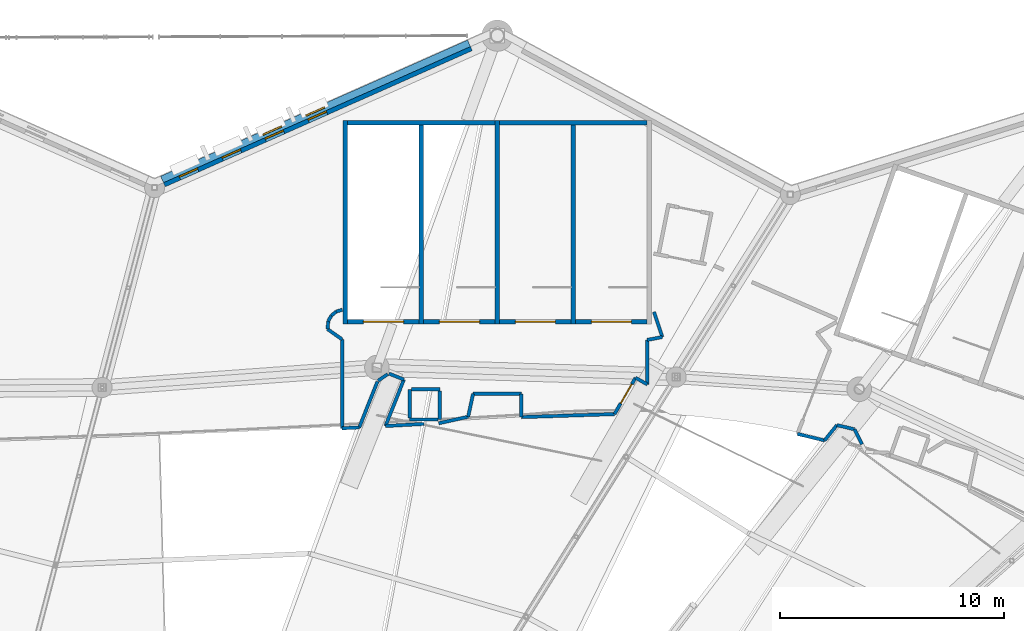
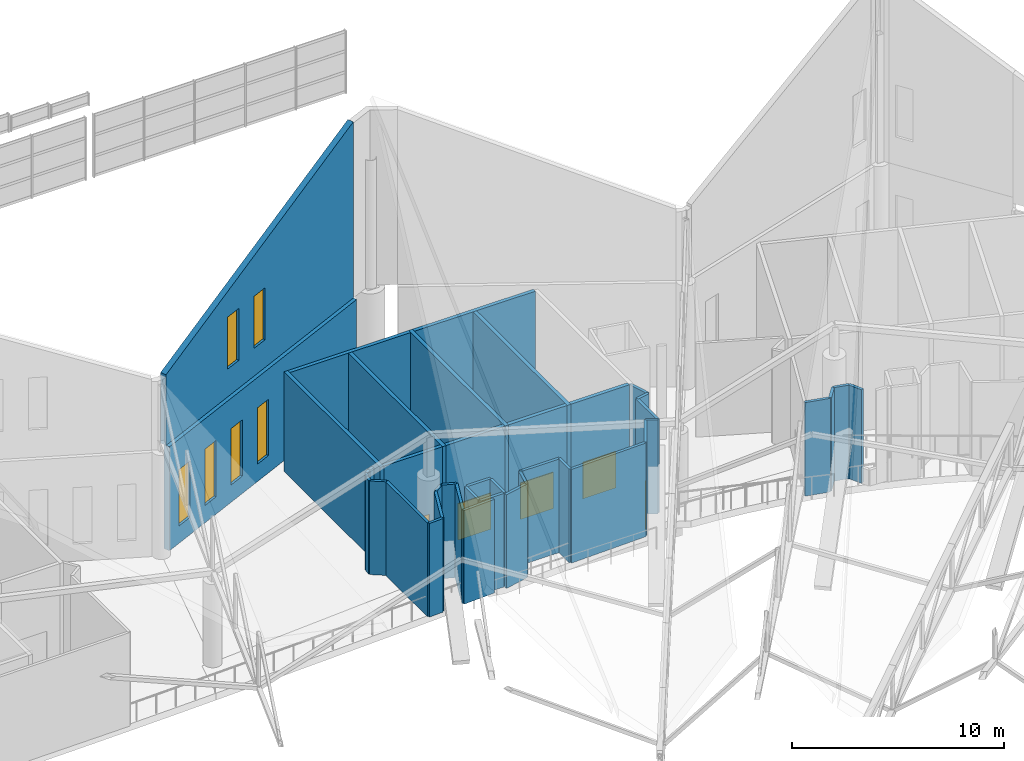
# One storey, part 273 of 344: 42 walls, 6 windows, 5 doors, 11 openings.
"""IFC4 building model written with IfcOpenShell, lengths in metres."""

import ifcopenshell
import ifcopenshell.guid

model = None  # the IFC model being written
_history = None  # IfcOwnerHistory: only IFC2X3 demands one
_inside = {}  # id of a spatial element -> (the spatial element, [elements in it])
_under = {}  # id of a project, library or spatial element -> (it, [spatial elements below it])
_declared = {}  # id of a project -> (the project, [libraries it declares])
_typed = {}  # id of a type object -> (the type object, [elements of that type])
_made_of = {}  # id of a material, layer set ... -> (it, [elements and type objects made of it])


def new_model(schema):
    """Start an empty IFC model of exactly this schema.

    Asked for "IFC4X3", IfcOpenShell would pick the latest addendum, in which some entities
    have other attributes; the version numbers below select the first issue.
    IFC2X3 requires an IfcOwnerHistory on every rooted entity: one is made here for all.
    """
    global model, _history
    if schema == "IFC4X3":
        model = ifcopenshell.file(schema_version=(4, 3, 0, 0))
    else:
        model = ifcopenshell.file(schema=schema)
    _inside.clear()
    _under.clear()
    _declared.clear()
    _typed.clear()
    _made_of.clear()
    _history = None
    if model.schema == "IFC2X3":
        org = make("IfcOrganization", Name="unknown")
        user = make(
            "IfcPersonAndOrganization",
            ThePerson=make("IfcPerson", FamilyName="unknown"),
            TheOrganization=org,
        )
        app = make(
            "IfcApplication",
            ApplicationDeveloper=org,
            Version="unknown",
            ApplicationFullName="unknown",
            ApplicationIdentifier="unknown",
        )
        _history = make(
            "IfcOwnerHistory",
            OwningUser=user,
            OwningApplication=app,
            ChangeAction="ADDED",
            CreationDate=0,
        )
    return model


def make(cls, **values):
    """One entity of the class cls with the attributes given. An attribute that is None is left unset."""
    return model.create_entity(
        cls, **{name: value for name, value in values.items() if value is not None}
    )


def rooted(cls, **values):
    """An entity with a GlobalId (a new one), such as an element, a storey or a relation."""
    return make(cls, GlobalId=ifcopenshell.guid.new(), OwnerHistory=_history, **values)


def si_unit(unit_type, name, prefix=None):
    """IfcSIUnit, for example si_unit("LENGTHUNIT", "METRE", prefix="MILLI")."""
    return make("IfcSIUnit", UnitType=unit_type, Prefix=prefix, Name=name)


def assignment(units):
    """IfcUnitAssignment: the units of a project."""
    return None if units is None else make("IfcUnitAssignment", Units=units)


def point(xyz):
    """IfcCartesianPoint."""
    return None if xyz is None else make("IfcCartesianPoint", Coordinates=xyz)


def direction(xyz):
    """IfcDirection."""
    return None if xyz is None else make("IfcDirection", DirectionRatios=xyz)


def frame(location, z_axis=None, x_axis=None):
    """IfcAxis2Placement3D, a coordinate frame: its origin and axes. An axis left out is left unset."""
    return make(
        "IfcAxis2Placement3D",
        Location=point(location),
        Axis=direction(z_axis),
        RefDirection=direction(x_axis),
    )


def frame_2d(location, x_axis=None):
    """IfcAxis2Placement2D, a coordinate frame in the plane: its origin and x axis."""
    return make(
        "IfcAxis2Placement2D", Location=point(location), RefDirection=direction(x_axis)
    )


def origin():
    """The frame at (0, 0, 0) with its axes left unset."""
    return frame((0.0, 0.0, 0.0))


def place(relative_to, where):
    """IfcLocalPlacement: puts the frame where relative to a parent placement (None: the world)."""
    return make(
        "IfcLocalPlacement", PlacementRelTo=relative_to, RelativePlacement=where
    )


def context(
    kind, dimensions, precision=None, world=None, true_north=None, identifier=None
):
    """IfcGeometricRepresentationContext, for example the 3D "Model" context."""
    return make(
        "IfcGeometricRepresentationContext",
        ContextIdentifier=identifier,
        ContextType=kind,
        CoordinateSpaceDimension=dimensions,
        Precision=precision,
        WorldCoordinateSystem=world,
        TrueNorth=true_north,
    )


def subcontext(parent, identifier, kind, view, scale=None):
    """IfcGeometricRepresentationSubContext, for example "Body" below "Model"."""
    return make(
        "IfcGeometricRepresentationSubContext",
        ContextIdentifier=identifier,
        ContextType=kind,
        ParentContext=parent,
        TargetScale=scale,
        TargetView=view,
    )


def project(units=None, contexts=None):
    """IfcProject with its units and contexts."""
    return rooted(
        "IfcProject",
        Name="project",
        RepresentationContexts=contexts,
        UnitsInContext=assignment(units),
    )


def spatial(cls, under=None, at=None, **own):
    """A site, building, storey or space (cls), placed at a placement, below another one or the project."""
    s = rooted(cls, ObjectPlacement=at, **own)
    if under is not None:
        _under.setdefault(under.id(), (under, []))[1].append(s)
    return s


def polyline(points):
    """IfcPolyline through the points."""
    return make("IfcPolyline", Points=[point(p) for p in points])


def profile(cls, at=None, kind="AREA", **sizes):
    """A parametric profile (cls). Its sizes go by their IFC names, for example OverallWidth=200.0."""
    return make(cls, ProfileType=kind, Position=at, **sizes)


def rectangle(**sizes):
    """IfcRectangleProfileDef."""
    return profile("IfcRectangleProfileDef", **sizes)


def outline(outer, holes=None, kind="AREA"):
    """IfcArbitraryClosedProfileDef: a profile drawn as a closed curve; with holes, ...WithVoids."""
    if holes is None:
        return make("IfcArbitraryClosedProfileDef", ProfileType=kind, OuterCurve=outer)
    return make(
        "IfcArbitraryProfileDefWithVoids",
        ProfileType=kind,
        OuterCurve=outer,
        InnerCurves=holes,
    )


def extrude(swept, where, along, depth):
    """IfcExtrudedAreaSolid: the profile swept, set in the frame where, extruded along a direction by depth."""
    return make(
        "IfcExtrudedAreaSolid",
        SweptArea=swept,
        Position=where,
        ExtrudedDirection=direction(along),
        Depth=depth,
    )


def shape(context_of_items, identifier, shape_type, items):
    """IfcShapeRepresentation: the items that make up one representation, for example the "Body"."""
    return make(
        "IfcShapeRepresentation",
        ContextOfItems=context_of_items,
        RepresentationIdentifier=identifier,
        RepresentationType=shape_type,
        Items=items,
    )


def material(Name=None, Category=None):
    """IfcMaterial."""
    return make("IfcMaterial", Name=Name, Category=Category)


def layer(
    of_material, thickness, ventilated=None, Name=None, Category=None, Priority=None
):
    """IfcMaterialLayer: one layer of a wall or slab, of a material (None: an air gap)."""
    return make(
        "IfcMaterialLayer",
        Material=of_material,
        LayerThickness=thickness,
        IsVentilated=ventilated,
        Name=Name,
        Category=Category,
        Priority=Priority,
    )


def layer_set(layers, Name=None):
    """IfcMaterialLayerSet."""
    return make("IfcMaterialLayerSet", MaterialLayers=layers, LayerSetName=Name)


def made_of(thing, what):
    """Note that an element or type object is made of a material, layer set ...; save() writes the relation."""
    if what is not None:
        _made_of.setdefault(what.id(), (what, []))[1].append(thing)
    return thing


def type_object(cls, material=None, **own):
    """A type object (cls), such as IfcWallType, which elements share."""
    return made_of(rooted(cls, **own), material)


def element(
    cls,
    number,
    at=None,
    inside=None,
    cuts=None,
    type_object=None,
    material=None,
    context=None,
    identifier="Body",
    shape_type=None,
    held_by="IfcProductDefinitionShape",
    body=None,
    shapes=None,
    **own,
):
    """One element of the class cls, such as IfcWall. Its Tag is "e" and its number.

    at: its placement. inside: the storey or other place that contains it. cuts: it is an
    opening in that element (IfcRelVoidsElement). A single representation is given by context,
    identifier, shape_type and body (its items); several are given by shapes. held_by: the class
    of the entity that holds the representations. save() writes the other relations.
    """
    e = rooted(cls, Tag="e%d" % number, ObjectPlacement=at, **own)
    if body is not None:
        shapes = [shape(context, identifier, shape_type, body)]
    if shapes is not None:
        e.Representation = make(held_by, Representations=shapes)
    if inside is not None:
        _inside.setdefault(inside.id(), (inside, []))[1].append(e)
    if cuts is not None:
        rooted(
            "IfcRelVoidsElement", RelatingBuildingElement=cuts, RelatedOpeningElement=e
        )
    if type_object is not None:
        _typed.setdefault(type_object.id(), (type_object, []))[1].append(e)
    return made_of(e, material)


def fill(opening, filler):
    """IfcRelFillsElement: the door or window that sits in an opening."""
    return rooted(
        "IfcRelFillsElement",
        RelatingOpeningElement=opening,
        RelatedBuildingElement=filler,
    )


def aggregate(whole, parts):
    """IfcRelAggregates: a whole, such as a stair, and the parts it consists of."""
    return rooted("IfcRelAggregates", RelatingObject=whole, RelatedObjects=parts)


def save(model, path):
    """Write the relations noted so far, then the file.

    IfcRelAggregates (storeys below a building ...), IfcRelContainedInSpatialStructure (elements
    in a storey), IfcRelDefinesByType, IfcRelAssociatesMaterial and IfcRelDeclares: one each for
    every whole, place, type object, material and project.
    """
    for whole, parts in _under.values():
        aggregate(whole, parts)
    for where, things in _inside.values():
        rooted(
            "IfcRelContainedInSpatialStructure",
            RelatedElements=things,
            RelatingStructure=where,
        )
    for kind, things in _typed.values():
        rooted("IfcRelDefinesByType", RelatedObjects=things, RelatingType=kind)
    for what, things in _made_of.values():
        rooted("IfcRelAssociatesMaterial", RelatedObjects=things, RelatingMaterial=what)
    for by, libraries in _declared.values():
        rooted("IfcRelDeclares", RelatingContext=by, RelatedDefinitions=libraries)
    model.write(path)


model = new_model("IFC4")

# Units and contexts
model_context = context("Model", 3, precision=1e-05, world=origin(), true_north=direction((0.0, 1.0)))
body_context = subcontext(model_context, "Body", "Model", "MODEL_VIEW")
ifc_project = project(units=[si_unit("LENGTHUNIT", "METRE"), si_unit("AREAUNIT", "SQUARE_METRE"), si_unit("VOLUMEUNIT", "CUBIC_METRE"), si_unit("PLANEANGLEUNIT", "RADIAN"), si_unit("MASSUNIT", "GRAM", prefix="KILO")], contexts=[model_context])

# Site, building, storey
site_placement = place(None, origin())
site = spatial("IfcSite", under=ifc_project, at=site_placement, CompositionType="ELEMENT")
building_placement = place(site_placement, origin())
building = spatial("IfcBuilding", under=site, at=building_placement, Name="Meseta Stadium", CompositionType="ELEMENT")
storey_placement = place(building_placement, frame((0.0, 0.0, 24.0)))
storey = spatial("IfcBuildingStorey", under=building, at=storey_placement, Name="L04", CompositionType="ELEMENT", Elevation=24.0)

# Walls
ifc_material_1 = material(Name="Concrete C40/50", Category="concrete")
ifc_layer_1 = layer(ifc_material_1, 0.199951171875)
ifc_layer_set_1 = layer_set([ifc_layer_1], Name="Core divider wall 200")
wall_type_1 = type_object("IfcWallType", Name="Core divider wall 200", PredefinedType="SHEAR", material=ifc_layer_set_1)
for number, where, z_axis, x_axis, name in (
    (1, (41.7333984375, 101.60009765625, 0.0), (0.0, 0.0, 1.0), (0.0, -1.0, 0.0), "Core 09 L04 stair A divider wall"),
    (2, (34.933349609375, 101.60009765625, 0.0), (0.0, 0.0, 1.0), (0.0, -1.0, 0.0), "Core 09 L04 stair B divider wall"),
):
    element("IfcWall", number, at=place(storey_placement, frame(where, z_axis=z_axis, x_axis=x_axis)), inside=storey, type_object=wall_type_1, Name=name, PredefinedType="SHEAR", context=body_context, shape_type="SweptSolid", body=[
        extrude(rectangle(XDim=9.10009765625, YDim=0.199951171875, at=frame_2d((4.550048828125, 0.0))), origin(), (0.0, 0.0, 1.0), 5.75),
    ])
ifc_material_2 = material(Name="Concrete C40/50", Category="concrete")
ifc_layer_2 = layer(ifc_material_2, 0.199951171875)
ifc_layer_set_2 = layer_set([ifc_layer_2], Name="Core shaft wall 200")
wall_type_2 = type_object("IfcWallType", Name="Core shaft wall 200", PredefinedType="SHEAR", material=ifc_layer_set_2)
for number, where, z_axis, x_axis, name in (
    (3, (38.333251953125, 101.60009765625, 0.0), (0.0, 0.0, 1.0), (0.0, -1.0, 0.0), "Core 09 L04 stair wall shared"),
    (4, (31.533203125, 101.60009765625, 0.0), (0.0, 0.0, 1.0), (0.0, -1.0, 0.0), "Core 09 L04 stair wall B-side"),
):
    element("IfcWall", number, at=place(storey_placement, frame(where, z_axis=z_axis, x_axis=x_axis)), inside=storey, type_object=wall_type_2, Name=name, PredefinedType="SHEAR", context=body_context, shape_type="SweptSolid", body=[
        extrude(rectangle(XDim=9.10009765625, YDim=0.199951171875, at=frame_2d((4.550048828125, 0.0))), origin(), (0.0, 0.0, 1.0), 5.75),
    ])
wall_1_placement = place(storey_placement, frame((45.033203125, 101.5, 0.0), z_axis=(0.0, 0.0, 1.0), x_axis=(-1.0, 0.0, 0.0)))
element("IfcWall", 5, at=wall_1_placement, inside=storey, type_object=wall_type_2, Name="Core 09 L04 stair A outer end wall", PredefinedType="SHEAR", context=body_context, shape_type="SweptSolid", body=[
    extrude(rectangle(XDim=6.599853515625, YDim=0.199951171875, at=frame_2d((3.2998046875, 0.0))), origin(), (0.0, 0.0, 1.0), 5.75),
])
wall_2_placement = place(storey_placement, frame((38.2333984375, 101.5, 0.0), z_axis=(0.0, 0.0, 1.0), x_axis=(-1.0, 0.0, 0.0)))
element("IfcWall", 6, at=wall_2_placement, inside=storey, type_object=wall_type_2, Name="Core 09 L04 stair B outer end wall", PredefinedType="SHEAR", context=body_context, shape_type="SweptSolid", body=[
    extrude(rectangle(XDim=6.60009765625, YDim=0.199951171875, at=frame_2d((3.300048828125, 0.0))), origin(), (0.0, 0.0, 1.0), 5.75),
])

# Wall, opening, door
wall_3_placement = place(storey_placement, frame((45.033203125, 92.60009765625, 0.0), z_axis=(0.0, 0.0, 1.0), x_axis=(-1.0, 0.0, 0.0)))
wall_3 = element("IfcWall", 7, at=wall_3_placement, inside=storey, type_object=wall_type_2, Name="Core 09 L04 stair A1 inner end wall", PredefinedType="SHEAR", context=body_context, shape_type="SweptSolid", body=[
    extrude(rectangle(XDim=3.199951171875, YDim=0.199951171875, at=frame_2d((1.60009765625, 0.0))), origin(), (0.0, 0.0, 1.0), 5.75),
])
opening_1_placement = place(wall_3_placement, frame((0.699951171875, 0.0, 0.0)))
opening_1 = element("IfcOpeningElement", 8, at=opening_1_placement, cuts=wall_3, Name="Opening D1603", PredefinedType="OPENING", context=body_context, shape_type="SweptSolid", body=[
    extrude(rectangle(XDim=1.800048828125, YDim=2.10009765625, at=frame_2d((0.89990234375, 1.050048828125))), frame((0.0, 0.10986328125, 0.0), z_axis=(0.0, -1.0, 0.0), x_axis=(1.0, 0.0, 0.0)), (0.0, 0.0, 1.0), 0.219970703125),
])
ifc_material_3 = material(Name="Steel", Category="steel")
door_type_1 = type_object("IfcDoorType", Name="Stair door 1800x2100", OperationType="DOUBLE_DOOR_SINGLE_SWING", PredefinedType="DOOR", material=ifc_material_3)
door_1_placement = place(opening_1_placement, origin())
door_1 = element("IfcDoor", 9, at=door_1_placement, inside=storey, type_object=door_type_1, Name="Stair A1 door 09 L04", OperationType="DOUBLE_DOOR_SINGLE_SWING", OverallHeight=2.10009765625, OverallWidth=1.800048828125, PredefinedType="DOOR", context=body_context, shape_type="SweptSolid", body=[
    extrude(rectangle(XDim=1.800048828125, YDim=2.10009765625, at=frame_2d((0.89990234375, 1.050048828125))), frame((0.0, 0.02490234375, 0.0), z_axis=(0.0, -1.0, 0.0), x_axis=(1.0, 0.0, 0.0)), (0.0, 0.0, 1.0), 0.050048828125),
])
fill(opening_1, door_1)

wall_4_placement = place(storey_placement, frame((41.63330078125, 92.60009765625, 0.0), z_axis=(0.0, 0.0, 1.0), x_axis=(-1.0, 0.0, 0.0)))
wall_4 = element("IfcWall", 10, at=wall_4_placement, inside=storey, type_object=wall_type_2, Name="Core 09 L04 stair A2 inner end wall", PredefinedType="SHEAR", context=body_context, shape_type="SweptSolid", body=[
    extrude(rectangle(XDim=3.199951171875, YDim=0.199951171875, at=frame_2d((1.60009765625, 0.0))), origin(), (0.0, 0.0, 1.0), 5.75),
])
opening_2_placement = place(wall_4_placement, frame((0.699951171875, 0.0, 0.0)))
opening_2 = element("IfcOpeningElement", 11, at=opening_2_placement, cuts=wall_4, Name="Opening D1601", PredefinedType="OPENING", context=body_context, shape_type="SweptSolid", body=[
    extrude(rectangle(XDim=1.800048828125, YDim=2.10009765625, at=frame_2d((0.89990234375, 1.050048828125))), frame((0.0, 0.10986328125, 0.0), z_axis=(0.0, -1.0, 0.0), x_axis=(1.0, 0.0, 0.0)), (0.0, 0.0, 1.0), 0.219970703125),
])
door_2_placement = place(opening_2_placement, origin())
door_2 = element("IfcDoor", 12, at=door_2_placement, inside=storey, type_object=door_type_1, Name="Stair A2 door 09 L04", OperationType="DOUBLE_DOOR_SINGLE_SWING", OverallHeight=2.10009765625, OverallWidth=1.800048828125, PredefinedType="DOOR", context=body_context, shape_type="SweptSolid", body=[
    extrude(rectangle(XDim=1.800048828125, YDim=2.10009765625, at=frame_2d((0.89990234375, 1.050048828125))), frame((0.0, 0.02490234375, 0.0), z_axis=(0.0, -1.0, 0.0), x_axis=(1.0, 0.0, 0.0)), (0.0, 0.0, 1.0), 0.050048828125),
])
fill(opening_2, door_2)

wall_5_placement = place(storey_placement, frame((38.2333984375, 92.60009765625, 0.0), z_axis=(0.0, 0.0, 1.0), x_axis=(-1.0, 0.0, 0.0)))
wall_5 = element("IfcWall", 13, at=wall_5_placement, inside=storey, type_object=wall_type_2, Name="Core 09 L04 stair B1 inner end wall", PredefinedType="SHEAR", context=body_context, shape_type="SweptSolid", body=[
    extrude(rectangle(XDim=3.2001953125, YDim=0.199951171875, at=frame_2d((1.60009765625, 0.0))), origin(), (0.0, 0.0, 1.0), 5.75),
])
opening_3_placement = place(wall_5_placement, frame((0.699951171875, 0.0, 0.0)))
opening_3 = element("IfcOpeningElement", 14, at=opening_3_placement, cuts=wall_5, Name="Opening D1600", PredefinedType="OPENING", context=body_context, shape_type="SweptSolid", body=[
    extrude(rectangle(XDim=1.800048828125, YDim=2.10009765625, at=frame_2d((0.89990234375, 1.050048828125))), frame((0.0, 0.10986328125, 0.0), z_axis=(0.0, -1.0, 0.0), x_axis=(1.0, 0.0, 0.0)), (0.0, 0.0, 1.0), 0.219970703125),
])
door_3_placement = place(opening_3_placement, origin())
door_3 = element("IfcDoor", 15, at=door_3_placement, inside=storey, type_object=door_type_1, Name="Stair B1 door 09 L04", OperationType="DOUBLE_DOOR_SINGLE_SWING", OverallHeight=2.10009765625, OverallWidth=1.800048828125, PredefinedType="DOOR", context=body_context, shape_type="SweptSolid", body=[
    extrude(rectangle(XDim=1.800048828125, YDim=2.10009765625, at=frame_2d((0.89990234375, 1.050048828125))), frame((0.0, 0.02490234375, 0.0), z_axis=(0.0, -1.0, 0.0), x_axis=(1.0, 0.0, 0.0)), (0.0, 0.0, 1.0), 0.050048828125),
])
fill(opening_3, door_3)

wall_6_placement = place(storey_placement, frame((34.833251953125, 92.60009765625, 0.0), z_axis=(0.0, 0.0, 1.0), x_axis=(-1.0, 0.0, 0.0)))
wall_6 = element("IfcWall", 16, at=wall_6_placement, inside=storey, type_object=wall_type_2, Name="Core 09 L04 stair B2 inner end wall", PredefinedType="SHEAR", context=body_context, shape_type="SweptSolid", body=[
    extrude(rectangle(XDim=3.199951171875, YDim=0.199951171875, at=frame_2d((1.60009765625, 0.0))), origin(), (0.0, 0.0, 1.0), 5.75),
])
opening_4_placement = place(wall_6_placement, frame((0.699951171875, 0.0, 0.0)))
opening_4 = element("IfcOpeningElement", 17, at=opening_4_placement, cuts=wall_6, Name="Opening D1599", PredefinedType="OPENING", context=body_context, shape_type="SweptSolid", body=[
    extrude(rectangle(XDim=1.800048828125, YDim=2.10009765625, at=frame_2d((0.89990234375, 1.050048828125))), frame((0.0, 0.10986328125, 0.0), z_axis=(0.0, -1.0, 0.0), x_axis=(1.0, 0.0, 0.0)), (0.0, 0.0, 1.0), 0.219970703125),
])
door_4_placement = place(opening_4_placement, origin())
door_4 = element("IfcDoor", 18, at=door_4_placement, inside=storey, type_object=door_type_1, Name="Stair B2 door 09 L04", OperationType="DOUBLE_DOOR_SINGLE_SWING", OverallHeight=2.10009765625, OverallWidth=1.800048828125, PredefinedType="DOOR", context=body_context, shape_type="SweptSolid", body=[
    extrude(rectangle(XDim=1.800048828125, YDim=2.10009765625, at=frame_2d((0.89990234375, 1.050048828125))), frame((0.0, 0.02490234375, 0.0), z_axis=(0.0, -1.0, 0.0), x_axis=(1.0, 0.0, 0.0)), (0.0, 0.0, 1.0), 0.050048828125),
])
fill(opening_4, door_4)

# Walls
ifc_material_4 = material(Name="Masonry blockwork", Category="masonry")
ifc_layer_3 = layer(ifc_material_4, 0.14990234375)
ifc_layer_set_3 = layer_set([ifc_layer_3], Name="Partition 150")
wall_type_3 = type_object("IfcWallType", Name="Partition 150", PredefinedType="PARTITIONING", material=ifc_layer_set_3)
wall_7_placement = place(storey_placement, frame((51.758056640625, 87.5830078125, 0.0), z_axis=(0.0, 0.0, 1.0), x_axis=(0.972077594291, -0.234659648592, 0.0)))
element("IfcWall", 19, at=wall_7_placement, inside=storey, type_object=wall_type_3, Name="Stair vestibule wall L04 core 08", PredefinedType="PARTITIONING", context=body_context, shape_type="SweptSolid", body=[
    extrude(rectangle(XDim=1.24853515625, YDim=0.14990234375, at=frame_2d((0.624267578125, 0.0))), origin(), (0.0, 0.0, 1.0), 5.39990234375),
])
wall_8_placement = place(storey_placement, frame((52.9716796875, 87.2900390625, 0.0), z_axis=(0.0, 0.0, 1.0), x_axis=(0.62881497414, 0.777554968023, 0.0)))
element("IfcWall", 20, at=wall_8_placement, inside=storey, type_object=wall_type_3, Name="Stair vestibule wall L04 core 08", PredefinedType="PARTITIONING", context=body_context, shape_type="SweptSolid", body=[
    extrude(rectangle(XDim=0.8798828125, YDim=0.14990234375, at=frame_2d((0.43994140625, 0.0))), origin(), (0.0, 0.0, 1.0), 5.39990234375),
])
wall_9_placement = place(storey_placement, frame((53.52490234375, 87.97412109375, 0.0), z_axis=(0.0, 0.0, 1.0), x_axis=(0.97312151115, -0.230292258961, 0.0)))
element("IfcWall", 21, at=wall_9_placement, inside=storey, type_object=wall_type_3, Name="Stair vestibule wall L04 core 08", PredefinedType="PARTITIONING", context=body_context, shape_type="SweptSolid", body=[
    extrude(rectangle(XDim=0.803466796875, YDim=0.14990234375, at=frame_2d((0.40185546875, 0.0))), origin(), (0.0, 0.0, 1.0), 5.39990234375),
])
wall_10_placement = place(storey_placement, frame((54.306884765625, 87.7890625, 0.0), z_axis=(0.0, 0.0, 1.0), x_axis=(0.44786349699, -0.894101945006, 0.0)))
element("IfcWall", 22, at=wall_10_placement, inside=storey, type_object=wall_type_3, Name="Stair vestibule wall L04 core 08", PredefinedType="PARTITIONING", context=body_context, shape_type="SweptSolid", body=[
    extrude(rectangle(XDim=0.751220703125, YDim=0.14990234375, at=frame_2d((0.37548828125, 0.0))), origin(), (0.0, 0.0, 1.0), 5.39990234375),
])
wall_11_placement = place(storey_placement, frame((35.75830078125, 89.576171875, 0.0), z_axis=(0.0, 0.0, 1.0), x_axis=(-1.0, 0.0, 0.0)))
element("IfcWall", 23, at=wall_11_placement, inside=storey, type_object=wall_type_3, Name="Pressurisation shaft wall L04 core 09", PredefinedType="PARTITIONING", context=body_context, shape_type="SweptSolid", body=[
    extrude(rectangle(XDim=1.27490234375, YDim=0.14990234375, at=frame_2d((0.637451171875, 0.0))), origin(), (0.0, 0.0, 1.0), 5.39990234375),
])
for number, where, z_axis, x_axis, name in (
    (24, (34.408203125, 89.576171875, 0.0), (0.0, 0.0, 1.0), (0.0, -1.0, 0.0), "Pressurisation shaft wall L04 core 09"),
    (25, (34.408203125, 88.22607421875, 0.0), (0.0, 0.0, 1.0), (1.0, 0.0, 0.0), "Pressurisation shaft wall L04 core 09"),
    (26, (35.75830078125, 88.22607421875, 0.0), (0.0, 0.0, 1.0), (0.0, 1.0, 0.0), "Pressurisation shaft wall L04 core 09"),
):
    element("IfcWall", number, at=place(storey_placement, frame(where, z_axis=z_axis, x_axis=x_axis)), inside=storey, type_object=wall_type_3, Name=name, PredefinedType="PARTITIONING", context=body_context, shape_type="SweptSolid", body=[
        extrude(rectangle(XDim=1.275146484375, YDim=0.14990234375, at=frame_2d((0.6376953125, 0.0))), origin(), (0.0, 0.0, 1.0), 5.39990234375),
    ])
wall_12_placement = place(storey_placement, frame((31.39892578125, 93.139404296875, 0.0), z_axis=(0.0, 0.0, 1.0), x_axis=(-0.954062086302, -0.299608970962, 0.0)))
element("IfcWall", 27, at=wall_12_placement, inside=storey, type_object=wall_type_3, Name="Stair vestibule wall L04 core 09", PredefinedType="PARTITIONING", context=body_context, shape_type="SweptSolid", body=[
    extrude(rectangle(XDim=0.291748046875, YDim=0.14990234375, at=frame_2d((0.14599609375, 0.0))), origin(), (0.0, 0.0, 1.0), 5.39990234375),
])
wall_13_placement = place(storey_placement, frame((31.12060546875, 93.052001953125, 0.0), z_axis=(0.0, 0.0, 1.0), x_axis=(-0.773073370483, -0.634316611678, 0.0)))
element("IfcWall", 28, at=wall_13_placement, inside=storey, type_object=wall_type_3, Name="Stair vestibule wall L04 core 09", PredefinedType="PARTITIONING", context=body_context, shape_type="SweptSolid", body=[
    extrude(rectangle(XDim=0.283203125, YDim=0.14990234375, at=frame_2d((0.1416015625, 0.0))), origin(), (0.0, 0.0, 1.0), 5.39990234375),
])
wall_14_placement = place(storey_placement, frame((30.901611328125, 92.872314453125, 0.0), z_axis=(0.0, 0.0, 1.0), x_axis=(-0.471169334347, -0.882042775817, 0.0)))
element("IfcWall", 29, at=wall_14_placement, inside=storey, type_object=wall_type_3, Name="Stair vestibule wall L04 core 09", PredefinedType="PARTITIONING", context=body_context, shape_type="SweptSolid", body=[
    extrude(rectangle(XDim=0.283447265625, YDim=0.14990234375, at=frame_2d((0.1416015625, 0.0))), origin(), (0.0, 0.0, 1.0), 5.39990234375),
])
wall_15_placement = place(storey_placement, frame((30.76806640625, 92.622314453125, 0.0), z_axis=(0.0, 0.0, 1.0), x_axis=(-0.094321730408, -0.995541767669, 0.0)))
element("IfcWall", 30, at=wall_15_placement, inside=storey, type_object=wall_type_3, Name="Stair vestibule wall L04 core 09", PredefinedType="PARTITIONING", context=body_context, shape_type="SweptSolid", body=[
    extrude(rectangle(XDim=0.3544921875, YDim=0.14990234375, at=frame_2d((0.17724609375, 0.0))), origin(), (0.0, 0.0, 1.0), 5.39990234375),
])
wall_16_placement = place(storey_placement, frame((30.734619140625, 92.269287109375, 0.0), z_axis=(0.0, 0.0, 1.0), x_axis=(0.817779793702, -0.575531240693, 0.0)))
element("IfcWall", 31, at=wall_16_placement, inside=storey, type_object=wall_type_3, Name="Stair vestibule wall L04 core 09", PredefinedType="PARTITIONING", context=body_context, shape_type="SweptSolid", body=[
    extrude(rectangle(XDim=0.799072265625, YDim=0.14990234375, at=frame_2d((0.3994140625, 0.0))), origin(), (0.0, 0.0, 1.0), 5.39990234375),
])
wall_17_placement = place(storey_placement, frame((31.38818359375, 91.809326171875, 0.0), z_axis=(0.0, 0.0, 1.0), x_axis=(0.0, -1.0, 0.0)))
element("IfcWall", 32, at=wall_17_placement, inside=storey, type_object=wall_type_3, Name="Stair vestibule wall L04 core 09", PredefinedType="PARTITIONING", context=body_context, shape_type="SweptSolid", body=[
    extrude(rectangle(XDim=3.976806640625, YDim=0.14990234375, at=frame_2d((1.98828125, 0.0))), origin(), (0.0, 0.0, 1.0), 5.39990234375),
])
wall_18_placement = place(storey_placement, frame((31.38818359375, 87.83251953125, 0.0), z_axis=(0.0, 0.0, 1.0), x_axis=(0.998582386306, 0.053227979098, 0.0)))
element("IfcWall", 33, at=wall_18_placement, inside=storey, type_object=wall_type_3, Name="Stair vestibule wall L04 core 09", PredefinedType="PARTITIONING", context=body_context, shape_type="SweptSolid", body=[
    extrude(rectangle(XDim=0.765869140625, YDim=0.14990234375, at=frame_2d((0.3828125, 0.0))), origin(), (0.0, 0.0, 1.0), 5.39990234375),
])
wall_19_placement = place(storey_placement, frame((32.153076171875, 87.873291015625, 0.0), z_axis=(0.0, 0.0, 1.0), x_axis=(0.369177653247, 0.929358843689, 0.0)))
element("IfcWall", 34, at=wall_19_placement, inside=storey, type_object=wall_type_3, Name="Stair vestibule wall L04 core 09", PredefinedType="PARTITIONING", context=body_context, shape_type="SweptSolid", body=[
    extrude(rectangle(XDim=2.20751953125, YDim=0.14990234375, at=frame_2d((1.103759765625, 0.0))), origin(), (0.0, 0.0, 1.0), 5.39990234375),
])
wall_20_placement = place(storey_placement, frame((33.4833984375, 90.281005859375, 0.0), z_axis=(0.0, 0.0, 1.0), x_axis=(0.929154097391, -0.369692660599, 0.0)))
element("IfcWall", 35, at=wall_20_placement, inside=storey, type_object=wall_type_3, Name="Stair vestibule wall L04 core 09", PredefinedType="PARTITIONING", context=body_context, shape_type="SweptSolid", body=[
    extrude(rectangle(XDim=0.71923828125, YDim=0.14990234375, at=frame_2d((0.359619140625, 0.0))), origin(), (0.0, 0.0, 1.0), 5.39990234375),
])
wall_21_placement = place(storey_placement, frame((34.151611328125, 90.01513671875, 0.0), z_axis=(0.0, 0.0, 1.0), x_axis=(-0.368716786322, -0.929541785766, 0.0)))
element("IfcWall", 36, at=wall_21_placement, inside=storey, type_object=wall_type_3, Name="Stair vestibule wall L04 core 09", PredefinedType="PARTITIONING", context=body_context, shape_type="SweptSolid", body=[
    extrude(rectangle(XDim=2.23681640625, YDim=0.14990234375, at=frame_2d((1.118408203125, 0.0))), origin(), (0.0, 0.0, 1.0), 5.39990234375),
])
wall_22_placement = place(storey_placement, frame((33.326904296875, 87.93603515625, 0.0), z_axis=(0.0, 0.0, 1.0), x_axis=(0.998566510948, 0.053524977473, 0.0)))
element("IfcWall", 37, at=wall_22_placement, inside=storey, type_object=wall_type_3, Name="Stair vestibule wall L04 core 09", PredefinedType="PARTITIONING", context=body_context, shape_type="SweptSolid", body=[
    extrude(rectangle(XDim=1.72412109375, YDim=0.14990234375, at=frame_2d((0.862060546875, 0.0))), origin(), (0.0, 0.0, 1.0), 5.39990234375),
])
wall_23_placement = place(storey_placement, frame((35.708984375, 88.05810546875, 0.0), z_axis=(0.0, 0.0, 1.0), x_axis=(0.976543359958, 0.215320844608, 0.0)))
element("IfcWall", 38, at=wall_23_placement, inside=storey, type_object=wall_type_3, Name="Stair vestibule wall L04 core 09", PredefinedType="PARTITIONING", context=body_context, shape_type="SweptSolid", body=[
    extrude(rectangle(XDim=1.349365234375, YDim=0.14990234375, at=frame_2d((0.6748046875, 0.0))), origin(), (0.0, 0.0, 1.0), 5.39990234375),
])
wall_24_placement = place(storey_placement, frame((37.026611328125, 88.3486328125, 0.0), z_axis=(0.0, 0.0, 1.0), x_axis=(0.208656251107, 0.97798904333, 0.0)))
element("IfcWall", 39, at=wall_24_placement, inside=storey, type_object=wall_type_3, Name="Stair vestibule wall L04 core 09", PredefinedType="PARTITIONING", context=body_context, shape_type="SweptSolid", body=[
    extrude(rectangle(XDim=1.05078125, YDim=0.14990234375, at=frame_2d((0.525390625, 0.0))), origin(), (0.0, 0.0, 1.0), 5.39990234375),
])
wall_25_placement = place(storey_placement, frame((37.245849609375, 89.376220703125, 0.0), z_axis=(0.0, 0.0, 1.0), x_axis=(0.99999999362, -0.000112956059, 0.0)))
element("IfcWall", 40, at=wall_25_placement, inside=storey, type_object=wall_type_3, Name="Stair vestibule wall L04 core 09", PredefinedType="PARTITIONING", context=body_context, shape_type="SweptSolid", body=[
    extrude(rectangle(XDim=2.161376953125, YDim=0.14990234375, at=frame_2d((1.08056640625, 0.0))), origin(), (0.0, 0.0, 1.0), 5.39990234375),
])
wall_26_placement = place(storey_placement, frame((39.4072265625, 89.3759765625, 0.0), z_axis=(0.0, 0.0, 1.0), x_axis=(0.0011715081, -0.999999313784, 0.0)))
element("IfcWall", 41, at=wall_26_placement, inside=storey, type_object=wall_type_3, Name="Stair vestibule wall L04 core 09", PredefinedType="PARTITIONING", context=body_context, shape_type="SweptSolid", body=[
    extrude(rectangle(XDim=1.0419921875, YDim=0.14990234375, at=frame_2d((0.52099609375, 0.0))), origin(), (0.0, 0.0, 1.0), 5.39990234375),
])
wall_27_placement = place(storey_placement, frame((39.408447265625, 88.333984375, 0.0), z_axis=(0.0, 0.0, 1.0), x_axis=(0.99948054063, 0.032228076294, 0.0)))
element("IfcWall", 42, at=wall_27_placement, inside=storey, type_object=wall_type_3, Name="Stair vestibule wall L04 core 09", PredefinedType="PARTITIONING", context=body_context, shape_type="SweptSolid", body=[
    extrude(rectangle(XDim=4.16650390625, YDim=0.14990234375, at=frame_2d((2.083251953125, 0.0))), origin(), (0.0, 0.0, 1.0), 5.39990234375),
])

# Wall, opening, door
wall_28_placement = place(storey_placement, frame((43.57275390625, 88.46826171875, 0.0), z_axis=(0.0, 0.0, 1.0), x_axis=(0.500493829044, 0.865740103662, 0.0)))
wall_28 = element("IfcWall", 43, at=wall_28_placement, inside=storey, type_object=wall_type_3, Name="Stair vestibule wall L04 core 09", PredefinedType="PARTITIONING", context=body_context, shape_type="SweptSolid", body=[
    extrude(rectangle(XDim=1.880859375, YDim=0.14990234375, at=frame_2d((0.9404296875, 0.0))), origin(), (0.0, 0.0, 1.0), 5.39990234375),
])
opening_5_placement = place(wall_28_placement, frame((0.550048828125, 0.0, 0.0)))
opening_5 = element("IfcOpeningElement", 44, at=opening_5_placement, cuts=wall_28, Name="Opening D1604", PredefinedType="OPENING", context=body_context, shape_type="SweptSolid", body=[
    extrude(rectangle(XDim=1.0, YDim=2.10009765625, at=frame_2d((0.5, 1.050048828125))), frame((0.0, 0.0849609375, 0.0), z_axis=(0.0, -1.0, 0.0), x_axis=(1.0, 0.0, 0.0)), (0.0, 0.0, 1.0), 0.169921875),
])
ifc_material_5 = material(Name="Steel", Category="steel")
door_type_2 = type_object("IfcDoorType", Name="Fire door 1000x2100 EI2 60", OperationType="NOTDEFINED", PredefinedType="DOOR", material=ifc_material_5)
door_5_placement = place(opening_5_placement, origin())
door_5 = element("IfcDoor", 45, at=door_5_placement, inside=storey, type_object=door_type_2, Name="Stair vestibule door L04 core 09", OperationType="SINGLE_SWING_RIGHT", OverallHeight=2.10009765625, OverallWidth=1.0, PredefinedType="DOOR", context=body_context, shape_type="SweptSolid", body=[
    extrude(rectangle(XDim=1.0, YDim=2.10009765625, at=frame_2d((0.5, 1.050048828125))), frame((0.0, 0.02490234375, 0.0), z_axis=(0.0, -1.0, 0.0), x_axis=(1.0, 0.0, 0.0)), (0.0, 0.0, 1.0), 0.050048828125),
])
fill(opening_5, door_5)

# Walls
wall_29_placement = place(storey_placement, frame((44.51416015625, 90.0966796875, 0.0), z_axis=(0.0, 0.0, 1.0), x_axis=(0.866997901494, -0.498311788749, 0.0)))
element("IfcWall", 46, at=wall_29_placement, inside=storey, type_object=wall_type_3, Name="Stair vestibule wall L04 core 09", PredefinedType="PARTITIONING", context=body_context, shape_type="SweptSolid", body=[
    extrude(rectangle(XDim=0.6044921875, YDim=0.14990234375, at=frame_2d((0.30224609375, 0.0))), origin(), (0.0, 0.0, 1.0), 5.39990234375),
])
wall_30_placement = place(storey_placement, frame((45.038330078125, 89.79541015625, 0.0), z_axis=(0.0, 0.0, 1.0), x_axis=(0.0, 1.0, 0.0)))
element("IfcWall", 47, at=wall_30_placement, inside=storey, type_object=wall_type_3, Name="Stair vestibule wall L04 core 09", PredefinedType="PARTITIONING", context=body_context, shape_type="SweptSolid", body=[
    extrude(rectangle(XDim=1.9912109375, YDim=0.14990234375, at=frame_2d((0.99560546875, 0.0))), origin(), (0.0, 0.0, 1.0), 5.39990234375),
])
wall_31_placement = place(storey_placement, frame((45.038330078125, 91.78662109375, 0.0), z_axis=(0.0, 0.0, 1.0), x_axis=(0.982006446981, 0.18884739365, 0.0)))
element("IfcWall", 48, at=wall_31_placement, inside=storey, type_object=wall_type_3, Name="Stair vestibule wall L04 core 09", PredefinedType="PARTITIONING", context=body_context, shape_type="SweptSolid", body=[
    extrude(rectangle(XDim=0.68505859375, YDim=0.14990234375, at=frame_2d((0.342529296875, 0.0))), origin(), (0.0, 0.0, 1.0), 5.39990234375),
])
wall_32_placement = place(storey_placement, frame((45.711181640625, 91.916015625, 0.0), z_axis=(0.0, 0.0, 1.0), x_axis=(-0.312505036406, 0.949916102727, 0.0)))
element("IfcWall", 49, at=wall_32_placement, inside=storey, type_object=wall_type_3, Name="Stair vestibule wall L04 core 09", PredefinedType="PARTITIONING", context=body_context, shape_type="SweptSolid", body=[
    extrude(rectangle(XDim=1.18115234375, YDim=0.14990234375, at=frame_2d((0.590576171875, 0.0))), origin(), (0.0, 0.0, 1.0), 5.39990234375),
])
wall_33_placement = place(storey_placement, frame((32.994384765625, 89.960693359375, 0.0), z_axis=(0.0, 0.0, 1.0), x_axis=(0.828430407169, 0.560092010726, 0.0)))
element("IfcWall", 50, at=wall_33_placement, inside=storey, type_object=wall_type_3, Name="Stair vestibule wall L04 core 09", PredefinedType="PARTITIONING", context=body_context, shape_type="SweptSolid", body=[
    extrude(rectangle(XDim=0.521240234375, YDim=0.14990234375, at=frame_2d((0.2607421875, 0.0))), origin(), (0.0, 0.0, 1.0), 5.39990234375),
])

# Wall, openings, windows
ifc_material_6 = material(Name="White precast concrete C40/50", Category="concrete")
ifc_layer_4 = layer(ifc_material_6, 0.320068359375)
ifc_layer_set_4 = layer_set([ifc_layer_4], Name="Pleated fascia panel 320 raked")
wall_type_4 = type_object("IfcWallType", Name="Pleated fascia panel 320 raked", PredefinedType="SOLIDWALL", material=ifc_layer_set_4)
wall_34_placement = place(storey_placement, frame((23.329833984375, 98.965087890625, 6.0), z_axis=(0.0, 0.0, 1.0), x_axis=(0.914136899386, 0.405405635359, 0.0)))
wall_34 = element("IfcWall", 51, at=wall_34_placement, inside=storey, type_object=wall_type_4, Name="Pleated fascia panel L04 F16", PredefinedType="SOLIDWALL", context=body_context, shape_type="SweptSolid", body=[
    extrude(outline(polyline([(0.0, 0.0), (15.025146484375, 0.0), (15.025146484375, 10.16357421875), (0.0, 4.072265625), (0.0, 0.0)])), frame((0.0, 0.16015625, 0.0), z_axis=(0.0, -1.0, 0.0), x_axis=(1.0, 0.0, 0.0)), (0.0, 0.0, 1.0), 0.320068359375),
])
opening_6_placement = place(wall_34_placement, frame((4.950439453125, 0.0, 1.60009765625)))
opening_6 = element("IfcOpeningElement", 52, at=opening_6_placement, cuts=wall_34, Name="Opening W266", PredefinedType="OPENING", context=body_context, shape_type="SweptSolid", body=[
    extrude(rectangle(XDim=0.89990234375, YDim=3.0, at=frame_2d((0.449951171875, 1.5))), frame((0.0, 0.169921875, 0.0), z_axis=(0.0, -1.0, 0.0), x_axis=(1.0, 0.0, 0.0)), (0.0, 0.0, 1.0), 0.340087890625),
])
opening_7_placement = place(wall_34_placement, frame((7.05029296875, 0.0, 1.60009765625)))
opening_7 = element("IfcOpeningElement", 53, at=opening_7_placement, cuts=wall_34, Name="Opening W268", PredefinedType="OPENING", context=body_context, shape_type="SweptSolid", body=[
    extrude(rectangle(XDim=0.89990234375, YDim=3.0, at=frame_2d((0.449951171875, 1.5))), frame((0.0, 0.169921875, 0.0), z_axis=(0.0, -1.0, 0.0), x_axis=(1.0, 0.0, 0.0)), (0.0, 0.0, 1.0), 0.340087890625),
])
ifc_material_7 = material(Name="Aluminium", Category="aluminium")
window_type_1 = type_object("IfcWindowType", Name="Slot window 900x3000", PartitioningType="SINGLE_PANEL", PredefinedType="WINDOW", material=ifc_material_7)
window_1_placement = place(opening_6_placement, origin())
window_1 = element("IfcWindow", 54, at=window_1_placement, inside=storey, type_object=window_type_1, Name="Slot window L04 F16.3", OverallHeight=3.0, OverallWidth=0.89990234375, PartitioningType="SINGLE_PANEL", PredefinedType="WINDOW", context=body_context, shape_type="SweptSolid", body=[
    extrude(rectangle(XDim=0.89990234375, YDim=3.0, at=frame_2d((0.449951171875, 1.5))), frame((0.0, 0.030029296875, 0.0), z_axis=(0.0, -1.0, 0.0), x_axis=(1.0, 0.0, 0.0)), (0.0, 0.0, 1.0), 0.06005859375),
])
fill(opening_6, window_1)
window_2_placement = place(opening_7_placement, origin())
window_2 = element("IfcWindow", 55, at=window_2_placement, inside=storey, type_object=window_type_1, Name="Slot window L04 F16.4", OverallHeight=3.0, OverallWidth=0.89990234375, PartitioningType="SINGLE_PANEL", PredefinedType="WINDOW", context=body_context, shape_type="SweptSolid", body=[
    extrude(rectangle(XDim=0.89990234375, YDim=3.0, at=frame_2d((0.449951171875, 1.5))), frame((0.0, 0.030029296875, 0.0), z_axis=(0.0, -1.0, 0.0), x_axis=(1.0, 0.0, 0.0)), (0.0, 0.0, 1.0), 0.06005859375),
])
fill(opening_7, window_2)

ifc_material_8 = material(Name="White precast concrete C40/50", Category="concrete")
ifc_layer_5 = layer(ifc_material_8, 0.320068359375)
ifc_layer_set_5 = layer_set([ifc_layer_5], Name="Pleated panel wall 320")
wall_type_5 = type_object("IfcWallType", Name="Pleated panel wall 320", PredefinedType="SOLIDWALL", material=ifc_layer_set_5)
wall_35_placement = place(storey_placement, frame((23.410888671875, 98.7822265625, 0.0), z_axis=(0.0, 0.0, 1.0), x_axis=(0.914136899386, 0.405405635359, 0.0)))
wall_35 = element("IfcWall", 56, at=wall_35_placement, inside=storey, type_object=wall_type_5, Name="Pleated facade panel L04 F16", PredefinedType="SOLIDWALL", context=body_context, shape_type="SweptSolid", body=[
    extrude(rectangle(XDim=15.025146484375, YDim=0.320068359375, at=frame_2d((7.5126953125, 0.0))), origin(), (0.0, 0.0, 1.0), 6.0),
])
opening_8_placement = place(wall_35_placement, frame((0.75048828125, 0.0, 1.0)))
opening_8 = element("IfcOpeningElement", 57, at=opening_8_placement, cuts=wall_35, Name="Opening W264", PredefinedType="OPENING", context=body_context, shape_type="SweptSolid", body=[
    extrude(rectangle(XDim=0.89990234375, YDim=3.25, at=frame_2d((0.449951171875, 1.625))), frame((0.0, 0.169921875, 0.0), z_axis=(0.0, -1.0, 0.0), x_axis=(1.0, 0.0, 0.0)), (0.0, 0.0, 1.0), 0.340087890625),
])
opening_9_placement = place(wall_35_placement, frame((2.850341796875, 0.0, 1.0)))
opening_9 = element("IfcOpeningElement", 58, at=opening_9_placement, cuts=wall_35, Name="Opening W265", PredefinedType="OPENING", context=body_context, shape_type="SweptSolid", body=[
    extrude(rectangle(XDim=0.89990234375, YDim=3.25, at=frame_2d((0.449951171875, 1.625))), frame((0.0, 0.169921875, 0.0), z_axis=(0.0, -1.0, 0.0), x_axis=(1.0, 0.0, 0.0)), (0.0, 0.0, 1.0), 0.340087890625),
])
opening_10_placement = place(wall_35_placement, frame((4.950439453125, 0.0, 1.0)))
opening_10 = element("IfcOpeningElement", 59, at=opening_10_placement, cuts=wall_35, Name="Opening W267", PredefinedType="OPENING", context=body_context, shape_type="SweptSolid", body=[
    extrude(rectangle(XDim=0.89990234375, YDim=3.25, at=frame_2d((0.449951171875, 1.625))), frame((0.0, 0.169921875, 0.0), z_axis=(0.0, -1.0, 0.0), x_axis=(1.0, 0.0, 0.0)), (0.0, 0.0, 1.0), 0.340087890625),
])
opening_11_placement = place(wall_35_placement, frame((7.05029296875, 0.0, 1.0)))
opening_11 = element("IfcOpeningElement", 60, at=opening_11_placement, cuts=wall_35, Name="Opening W269", PredefinedType="OPENING", context=body_context, shape_type="SweptSolid", body=[
    extrude(rectangle(XDim=0.89990234375, YDim=3.25, at=frame_2d((0.449951171875, 1.625))), frame((0.0, 0.169921875, 0.0), z_axis=(0.0, -1.0, 0.0), x_axis=(1.0, 0.0, 0.0)), (0.0, 0.0, 1.0), 0.340087890625),
])
ifc_material_9 = material(Name="Aluminium", Category="aluminium")
window_type_2 = type_object("IfcWindowType", Name="Slot window 900x3250", PartitioningType="SINGLE_PANEL", PredefinedType="WINDOW", material=ifc_material_9)
window_3_placement = place(opening_8_placement, origin())
window_3 = element("IfcWindow", 61, at=window_3_placement, inside=storey, type_object=window_type_2, Name="Slot window L04 F16.1", OverallHeight=3.25, OverallWidth=0.89990234375, PartitioningType="SINGLE_PANEL", PredefinedType="WINDOW", context=body_context, shape_type="SweptSolid", body=[
    extrude(rectangle(XDim=0.89990234375, YDim=3.25, at=frame_2d((0.449951171875, 1.625))), frame((0.0, 0.030029296875, 0.0), z_axis=(0.0, -1.0, 0.0), x_axis=(1.0, 0.0, 0.0)), (0.0, 0.0, 1.0), 0.06005859375),
])
fill(opening_8, window_3)
window_4_placement = place(opening_9_placement, origin())
window_4 = element("IfcWindow", 62, at=window_4_placement, inside=storey, type_object=window_type_2, Name="Slot window L04 F16.2", OverallHeight=3.25, OverallWidth=0.89990234375, PartitioningType="SINGLE_PANEL", PredefinedType="WINDOW", context=body_context, shape_type="SweptSolid", body=[
    extrude(rectangle(XDim=0.89990234375, YDim=3.25, at=frame_2d((0.449951171875, 1.625))), frame((0.0, 0.030029296875, 0.0), z_axis=(0.0, -1.0, 0.0), x_axis=(1.0, 0.0, 0.0)), (0.0, 0.0, 1.0), 0.06005859375),
])
fill(opening_9, window_4)
window_5_placement = place(opening_10_placement, origin())
window_5 = element("IfcWindow", 63, at=window_5_placement, inside=storey, type_object=window_type_2, Name="Slot window L04 F16.3", OverallHeight=3.25, OverallWidth=0.89990234375, PartitioningType="SINGLE_PANEL", PredefinedType="WINDOW", context=body_context, shape_type="SweptSolid", body=[
    extrude(rectangle(XDim=0.89990234375, YDim=3.25, at=frame_2d((0.449951171875, 1.625))), frame((0.0, 0.030029296875, 0.0), z_axis=(0.0, -1.0, 0.0), x_axis=(1.0, 0.0, 0.0)), (0.0, 0.0, 1.0), 0.06005859375),
])
fill(opening_10, window_5)
window_6_placement = place(opening_11_placement, origin())
window_6 = element("IfcWindow", 64, at=window_6_placement, inside=storey, type_object=window_type_2, Name="Slot window L04 F16.4", OverallHeight=3.25, OverallWidth=0.89990234375, PartitioningType="SINGLE_PANEL", PredefinedType="WINDOW", context=body_context, shape_type="SweptSolid", body=[
    extrude(rectangle(XDim=0.89990234375, YDim=3.25, at=frame_2d((0.449951171875, 1.625))), frame((0.0, 0.030029296875, 0.0), z_axis=(0.0, -1.0, 0.0), x_axis=(1.0, 0.0, 0.0)), (0.0, 0.0, 1.0), 0.06005859375),
])
fill(opening_11, window_6)

save(model, "model.ifc")
